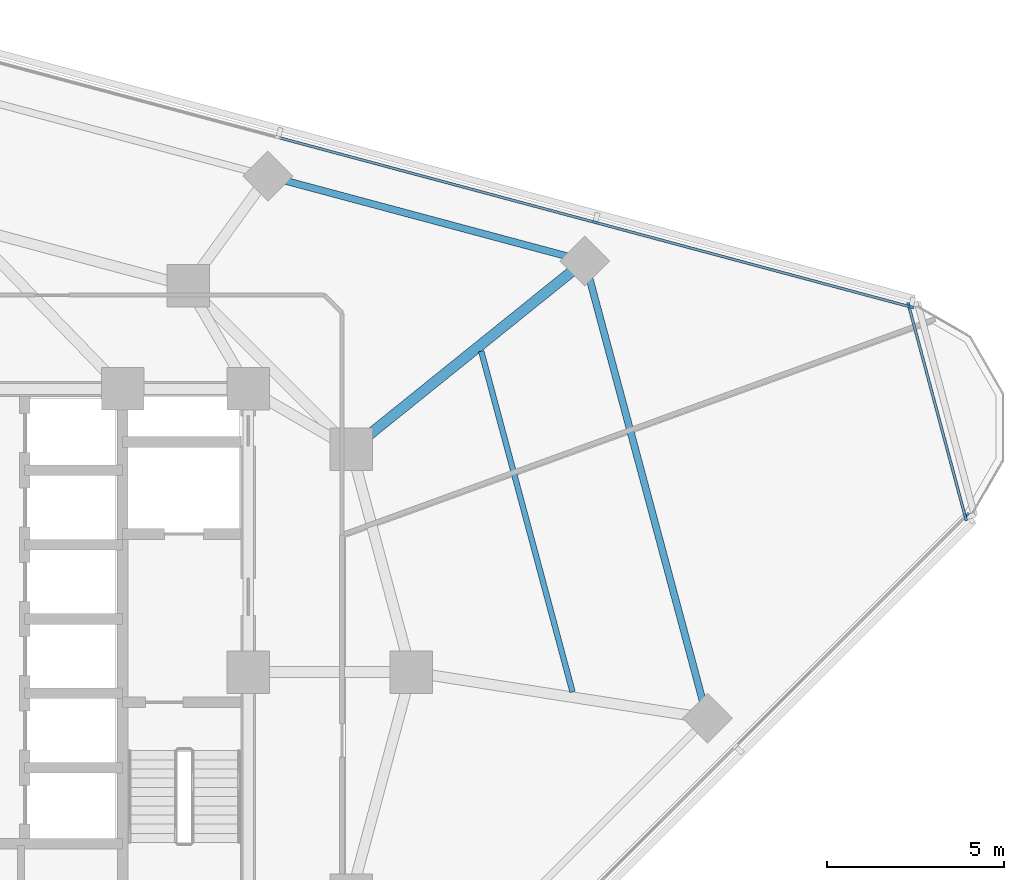
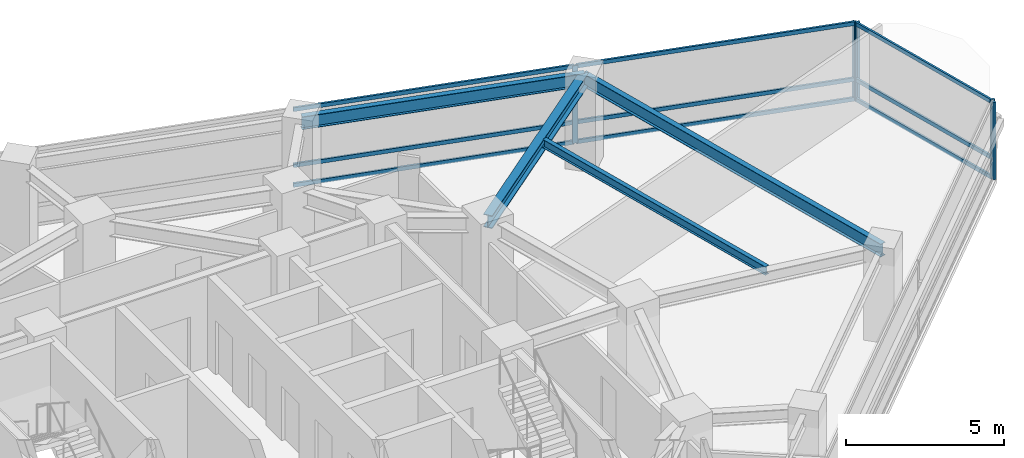
# One storey, part 5 of 13: 14 members, 4 beams, 3 elements without a shape of their own.
"""IFC4 building model written with IfcOpenShell, lengths in metres."""

from ifc_helpers import new_model, si_unit, direction, frame, origin, origin_2d, place, context, subcontext, project, spatial, rectangle, i_section, extrude, material, layer, layer_set, material_profile, profile_set, type_object, element, aggregate, save


model = new_model("IFC4")

# Units and contexts
model_context = context("Model", 3, precision=1e-05, world=origin(), true_north=direction((0.0, 1.0)))
body_context = subcontext(model_context, "Body", "Model", "MODEL_VIEW")
ifc_project = project(units=[si_unit("LENGTHUNIT", "METRE"), si_unit("AREAUNIT", "SQUARE_METRE"), si_unit("VOLUMEUNIT", "CUBIC_METRE"), si_unit("PLANEANGLEUNIT", "RADIAN"), si_unit("MASSUNIT", "GRAM", prefix="KILO")], contexts=[model_context])

# Site, building, storey
site_placement = place(None, origin())
site = spatial("IfcSite", under=ifc_project, at=site_placement, CompositionType="ELEMENT")
building_placement = place(site_placement, origin())
building = spatial("IfcBuilding", under=site, at=building_placement, Name="Terralouvre Media Tower", CompositionType="ELEMENT")
storey_placement = place(building_placement, frame((0.0, 0.0, 202.699951171875)))
storey = spatial("IfcBuildingStorey", under=building, at=storey_placement, Name="L52", CompositionType="ELEMENT", Elevation=202.699951171875)

# Beam
ifc_material_1 = material(Name="Structural steel S355J2", Category="steel")
ifc_material_profile_1 = material_profile(ifc_material_1, i_section(OverallWidth=0.159912109375, OverallDepth=0.330078125, WebThickness=0.007568359375, FlangeThickness=0.011474609375, at=origin_2d()), Name="IPE 330")
ifc_profile_set_1 = profile_set([ifc_material_profile_1], Name="Structural steel S355J2")
beam_type_1 = type_object("IfcBeamType", Name="Composite Floor Joist J-IPE330 (IPE 330)", PredefinedType="JOIST", material=ifc_profile_set_1)
beam_1_placement = place(storey_placement, frame((17.16357421875, -0.56103515625, 3.3349609375), z_axis=(-0.258827084055, 0.965923672222, 0.0), x_axis=(-0.965923672222, -0.258827084055, 0.0)))
element("IfcBeam", 1, at=beam_1_placement, inside=storey, type_object=beam_type_1, Name="L52 Framing Beam JT-L52-03", PredefinedType="JOIST", context=body_context, shape_type="SweptSolid", body=[
    extrude(i_section(OverallWidth=0.159912109375, OverallDepth=0.330078125, WebThickness=0.007568359375, FlangeThickness=0.011474609375, at=origin_2d()), origin(), (0.0, 0.0, 1.0), 9.96826171875),
])

# Curtain wall, members
ifc_material_2 = material(Name="Low-iron laminated double glazing with solar-control coating", Category="glass")
ifc_layer_1 = layer(ifc_material_2, 0.1650390625, Name="Production Studio Tower Curtain Wall CW-03")
ifc_layer_set_1 = layer_set([ifc_layer_1], Name="Low-iron laminated double glazing with solar-control coating")
curtain_wall_type_1 = type_object("IfcCurtainWallType", Name="Production Studio Tower Curtain Wall CW-03", PredefinedType="NOTDEFINED", material=ifc_layer_set_1)
curtain_wall_1_placement = place(storey_placement, origin())
curtain_wall_1 = element("IfcCurtainWall", 2, at=curtain_wall_1_placement, inside=storey, type_object=curtain_wall_type_1, Name="L52 Facade Curtain Wall F1", PredefinedType="NOTDEFINED")
ifc_material_3 = material(Name="Anodised extruded aluminium 6063-T6", Category="aluminium")
ifc_material_profile_2 = material_profile(ifc_material_3, rectangle(XDim=0.074951171875, YDim=0.14990234375, at=origin_2d()), Name="ALU 75x150")
ifc_profile_set_2 = profile_set([ifc_material_profile_2], Name="Anodised extruded aluminium 6063-T6")
member_type_1 = type_object("IfcMemberType", Name="Curtain-Wall Horizontal Transom TR-150", PredefinedType="USERDEFINED", material=ifc_profile_set_2)
member_1_placement = place(storey_placement, frame((26.687255859375, 10.32763671875, 0.03759765625), z_axis=(-0.965927230856, 0.25881380313, 0.0), x_axis=(-0.25881380313, -0.965927230856, 0.0)))
member_1 = element("IfcMember", 3, at=member_1_placement, type_object=member_type_1, Name="CW-03 transom 1.1", ObjectType="TRANSOM", PredefinedType="USERDEFINED", context=body_context, shape_type="SweptSolid", body=[
    extrude(rectangle(XDim=0.074951171875, YDim=0.14990234375, at=origin_2d()), origin(), (0.0, 0.0, 1.0), 9.159423828125),
])
member_2_placement = place(storey_placement, frame((26.687255859375, 10.32763671875, 0.800048828125), z_axis=(-0.965927230856, 0.25881380313, 0.0), x_axis=(-0.25881380313, -0.965927230856, 0.0)))
member_2 = element("IfcMember", 4, at=member_2_placement, type_object=member_type_1, Name="CW-03 transom 1.2", ObjectType="TRANSOM", PredefinedType="USERDEFINED", context=body_context, shape_type="SweptSolid", body=[
    extrude(rectangle(XDim=0.074951171875, YDim=0.14990234375, at=origin_2d()), origin(), (0.0, 0.0, 1.0), 9.159423828125),
])
member_3_placement = place(storey_placement, frame((26.687255859375, 10.32763671875, 2.962646484375), z_axis=(-0.965927230856, 0.25881380313, 0.0), x_axis=(-0.25881380313, -0.965927230856, 0.0)))
member_3 = element("IfcMember", 5, at=member_3_placement, type_object=member_type_1, Name="CW-03 transom 1.3", ObjectType="TRANSOM", PredefinedType="USERDEFINED", context=body_context, shape_type="SweptSolid", body=[
    extrude(rectangle(XDim=0.074951171875, YDim=0.14990234375, at=origin_2d()), origin(), (0.0, 0.0, 1.0), 9.159423828125),
])
member_4_placement = place(storey_placement, frame((17.767578125, 12.7177734375, 0.03759765625), z_axis=(-0.965926723605, 0.25881569625, 0.0), x_axis=(-0.25881569625, -0.965926723605, 0.0)))
member_4 = element("IfcMember", 6, at=member_4_placement, type_object=member_type_1, Name="CW-03 transom 2.1", ObjectType="TRANSOM", PredefinedType="USERDEFINED", context=body_context, shape_type="SweptSolid", body=[
    extrude(rectangle(XDim=0.074951171875, YDim=0.14990234375, at=origin_2d()), origin(), (0.0, 0.0, 1.0), 9.197265625),
])
member_5_placement = place(storey_placement, frame((17.767578125, 12.7177734375, 0.800048828125), z_axis=(-0.965926723605, 0.25881569625, 0.0), x_axis=(-0.25881569625, -0.965926723605, 0.0)))
member_5 = element("IfcMember", 7, at=member_5_placement, type_object=member_type_1, Name="CW-03 transom 2.2", ObjectType="TRANSOM", PredefinedType="USERDEFINED", context=body_context, shape_type="SweptSolid", body=[
    extrude(rectangle(XDim=0.074951171875, YDim=0.14990234375, at=origin_2d()), origin(), (0.0, 0.0, 1.0), 9.197265625),
])
member_6_placement = place(storey_placement, frame((17.767578125, 12.7177734375, 2.962646484375), z_axis=(-0.965926723605, 0.25881569625, 0.0), x_axis=(-0.25881569625, -0.965926723605, 0.0)))
member_6 = element("IfcMember", 8, at=member_6_placement, type_object=member_type_1, Name="CW-03 transom 2.3", ObjectType="TRANSOM", PredefinedType="USERDEFINED", context=body_context, shape_type="SweptSolid", body=[
    extrude(rectangle(XDim=0.074951171875, YDim=0.14990234375, at=origin_2d()), origin(), (0.0, 0.0, 1.0), 9.197265625),
])

ifc_material_4 = material(Name="Low-iron laminated double glazing with solar-control coating", Category="glass")
ifc_layer_2 = layer(ifc_material_4, 0.1650390625, Name="Rounded Wind-Corner Curved Glazing CW-04")
ifc_layer_set_2 = layer_set([ifc_layer_2], Name="Low-iron laminated double glazing with solar-control coating")
curtain_wall_type_2 = type_object("IfcCurtainWallType", Name="Rounded Wind-Corner Curved Glazing CW-04", PredefinedType="NOTDEFINED", material=ifc_layer_set_2)
curtain_wall_2_placement = place(storey_placement, origin())
curtain_wall_2 = element("IfcCurtainWall", 9, at=curtain_wall_2_placement, inside=storey, type_object=curtain_wall_type_2, Name="L52 Rounded Wind-Corner Curtain Wall C1", PredefinedType="NOTDEFINED")
member_7_placement = place(storey_placement, frame((28.259033203125, 4.404052734375, 0.03759765625), z_axis=(-0.25882448687, 0.965924368155, 0.0), x_axis=(-0.965924368155, -0.25882448687, 0.0)))
member_7 = element("IfcMember", 10, at=member_7_placement, type_object=member_type_1, Name="CW-04 transom 1.1", ObjectType="TRANSOM", PredefinedType="USERDEFINED", context=body_context, shape_type="SweptSolid", body=[
    extrude(rectangle(XDim=0.074951171875, YDim=0.14990234375, at=origin_2d()), origin(), (0.0, 0.0, 1.0), 6.119873046875),
])
member_8_placement = place(storey_placement, frame((28.259033203125, 4.404052734375, 0.800048828125), z_axis=(-0.25882448687, 0.965924368155, 0.0), x_axis=(-0.965924368155, -0.25882448687, 0.0)))
member_8 = element("IfcMember", 11, at=member_8_placement, type_object=member_type_1, Name="CW-04 transom 1.2", ObjectType="TRANSOM", PredefinedType="USERDEFINED", context=body_context, shape_type="SweptSolid", body=[
    extrude(rectangle(XDim=0.074951171875, YDim=0.14990234375, at=origin_2d()), origin(), (0.0, 0.0, 1.0), 6.119873046875),
])
member_9_placement = place(storey_placement, frame((28.259033203125, 4.404052734375, 2.962646484375), z_axis=(-0.25882448687, 0.965924368155, 0.0), x_axis=(-0.965924368155, -0.25882448687, 0.0)))
member_9 = element("IfcMember", 12, at=member_9_placement, type_object=member_type_1, Name="CW-04 transom 1.3", ObjectType="TRANSOM", PredefinedType="USERDEFINED", context=body_context, shape_type="SweptSolid", body=[
    extrude(rectangle(XDim=0.074951171875, YDim=0.14990234375, at=origin_2d()), origin(), (0.0, 0.0, 1.0), 6.119873046875),
])

# Curtain wall, member
curtain_wall_3_placement = place(storey_placement, origin())
curtain_wall_3 = element("IfcCurtainWall", 13, at=curtain_wall_3_placement, inside=storey, type_object=curtain_wall_type_1, Name="L52 Facade Curtain Wall F0", PredefinedType="NOTDEFINED")
ifc_material_5 = material(Name="Anodised extruded aluminium 6063-T6", Category="aluminium")
ifc_material_profile_3 = material_profile(ifc_material_5, rectangle(XDim=0.074951171875, YDim=0.179931640625, at=origin_2d()), Name="ALU 75x180")
ifc_profile_set_3 = profile_set([ifc_material_profile_3], Name="Anodised extruded aluminium 6063-T6")
member_type_2 = type_object("IfcMemberType", Name="Curtain-Wall Vertical Mullion ML-180", PredefinedType="MULLION", material=ifc_profile_set_3)
member_10_placement = place(storey_placement, frame((28.30224609375, 4.42626953125, 0.0), z_axis=(0.0, 0.0, 1.0), x_axis=(-0.707106781187, 0.707106781187, 0.0)))
member_10 = element("IfcMember", 14, at=member_10_placement, type_object=member_type_2, Name="CW-03 mullion 6", PredefinedType="MULLION", context=body_context, shape_type="SweptSolid", body=[
    extrude(rectangle(XDim=0.074951171875, YDim=0.179931640625, at=origin_2d()), origin(), (0.0, 0.0, 1.0), 3.0),
])
aggregate(curtain_wall_3, [member_10])

# Member
member_11_placement = place(storey_placement, frame((26.7236328125, 10.31787109375, 0.0), z_axis=(0.0, 0.0, 1.0), x_axis=(-0.25881903342, -0.96592582942, 0.0)))
member_11 = element("IfcMember", 15, at=member_11_placement, type_object=member_type_2, Name="CW-03 mullion 1", PredefinedType="MULLION", context=body_context, shape_type="SweptSolid", body=[
    extrude(rectangle(XDim=0.074951171875, YDim=0.179931640625, at=origin_2d()), origin(), (0.0, 0.0, 1.0), 3.0),
])

member_12_placement = place(storey_placement, frame((17.8037109375, 12.7080078125, 0.0), z_axis=(0.0, 0.0, 1.0), x_axis=(-0.25881903342, -0.96592582942, 0.0)))
member_12 = element("IfcMember", 16, at=member_12_placement, type_object=member_type_2, Name="CW-03 mullion 2", PredefinedType="MULLION", context=body_context, shape_type="SweptSolid", body=[
    extrude(rectangle(XDim=0.074951171875, YDim=0.179931640625, at=origin_2d()), origin(), (0.0, 0.0, 1.0), 3.0),
])

aggregate(curtain_wall_1, [member_11, member_12, member_1, member_2, member_3, member_4, member_5, member_6])

member_13_placement = place(storey_placement, frame((28.268798828125, 4.367919921875, 0.0), z_axis=(0.0, 0.0, 1.0), x_axis=(-0.965925911218, -0.258818728144, 0.0)))
member_13 = element("IfcMember", 17, at=member_13_placement, type_object=member_type_2, Name="CW-04 mullion 1", PredefinedType="MULLION", context=body_context, shape_type="SweptSolid", body=[
    extrude(rectangle(XDim=0.074951171875, YDim=0.179931640625, at=origin_2d()), origin(), (0.0, 0.0, 1.0), 3.0),
])

member_14_placement = place(storey_placement, frame((26.665283203125, 10.351806640625, 0.0), z_axis=(0.0, 0.0, 1.0), x_axis=(-0.965925911218, -0.258818728144, 0.0)))
member_14 = element("IfcMember", 18, at=member_14_placement, type_object=member_type_2, Name="CW-04 mullion 2", PredefinedType="MULLION", context=body_context, shape_type="SweptSolid", body=[
    extrude(rectangle(XDim=0.074951171875, YDim=0.179931640625, at=origin_2d()), origin(), (0.0, 0.0, 1.0), 3.0),
])

aggregate(curtain_wall_2, [member_13, member_14, member_7, member_8, member_9])

# Beams
ifc_material_6 = material(Name="Structural steel S355J2", Category="steel")
ifc_material_profile_4 = material_profile(ifc_material_6, i_section(OverallWidth=0.199951171875, OverallDepth=0.5, WebThickness=0.01025390625, FlangeThickness=0.01611328125, at=origin_2d()), Name="IPE 500")
ifc_profile_set_4 = profile_set([ifc_material_profile_4], Name="Structural steel S355J2")
beam_type_2 = type_object("IfcBeamType", Name="Perimeter Spandrel Beam SPB-500 (IPE 500)", PredefinedType="SPANDREL", material=ifc_profile_set_4)
beam_2_placement = place(storey_placement, frame((20.973388671875, -1.3046875, 3.25), z_axis=(-0.258815451972, 0.965926789058, 0.0), x_axis=(-0.965926789058, -0.258815451972, 0.0)))
element("IfcBeam", 19, at=beam_2_placement, inside=storey, type_object=beam_type_2, Name="L52 Framing Beam BM-L52-PR06", PredefinedType="SPANDREL", context=body_context, shape_type="SweptSolid", body=[
    extrude(i_section(OverallWidth=0.199951171875, OverallDepth=0.5, WebThickness=0.01025390625, FlangeThickness=0.01611328125, at=origin_2d()), origin(), (0.0, 0.0, 1.0), 13.376953125),
])
beam_3_placement = place(storey_placement, frame((17.51123046875, 11.616455078125, 3.25), z_axis=(-0.965922193685, 0.258832601786, 0.0), x_axis=(-0.258832601786, -0.965922193685, 0.0)))
element("IfcBeam", 20, at=beam_3_placement, inside=storey, type_object=beam_type_2, Name="L52 Framing Beam BM-L52-PR07", PredefinedType="SPANDREL", context=body_context, shape_type="SweptSolid", body=[
    extrude(i_section(OverallWidth=0.199951171875, OverallDepth=0.5, WebThickness=0.01025390625, FlangeThickness=0.01611328125, at=origin_2d()), origin(), (0.0, 0.0, 1.0), 9.27197265625),
])
ifc_material_7 = material(Name="Structural steel S355J2", Category="steel")
ifc_material_profile_5 = material_profile(ifc_material_7, i_section(OverallWidth=0.300048828125, OverallDepth=0.5, WebThickness=0.014404296875, FlangeThickness=0.028076171875, at=origin_2d()), Name="HEB 500")
ifc_profile_set_5 = profile_set([ifc_material_profile_5], Name="Structural steel S355J2")
beam_type_3 = type_object("IfcBeamType", Name="Primary Floor Girder B-HEB500 (HEB 500)", PredefinedType="BEAM", material=ifc_profile_set_5)
beam_4_placement = place(storey_placement, frame((10.911865234375, 6.300048828125, 3.25), z_axis=(0.778739443649, 0.62734749454, 0.0), x_axis=(-0.62734749454, 0.778739443649, 0.0)))
element("IfcBeam", 21, at=beam_4_placement, inside=storey, type_object=beam_type_3, Name="L52 Framing Beam BM-L52-RD07", PredefinedType="BEAM", context=body_context, shape_type="SweptSolid", body=[
    extrude(i_section(OverallWidth=0.300048828125, OverallDepth=0.5, WebThickness=0.014404296875, FlangeThickness=0.028076171875, at=origin_2d()), origin(), (0.0, 0.0, 1.0), 8.474365234375),
])

save(model, "model.ifc")
